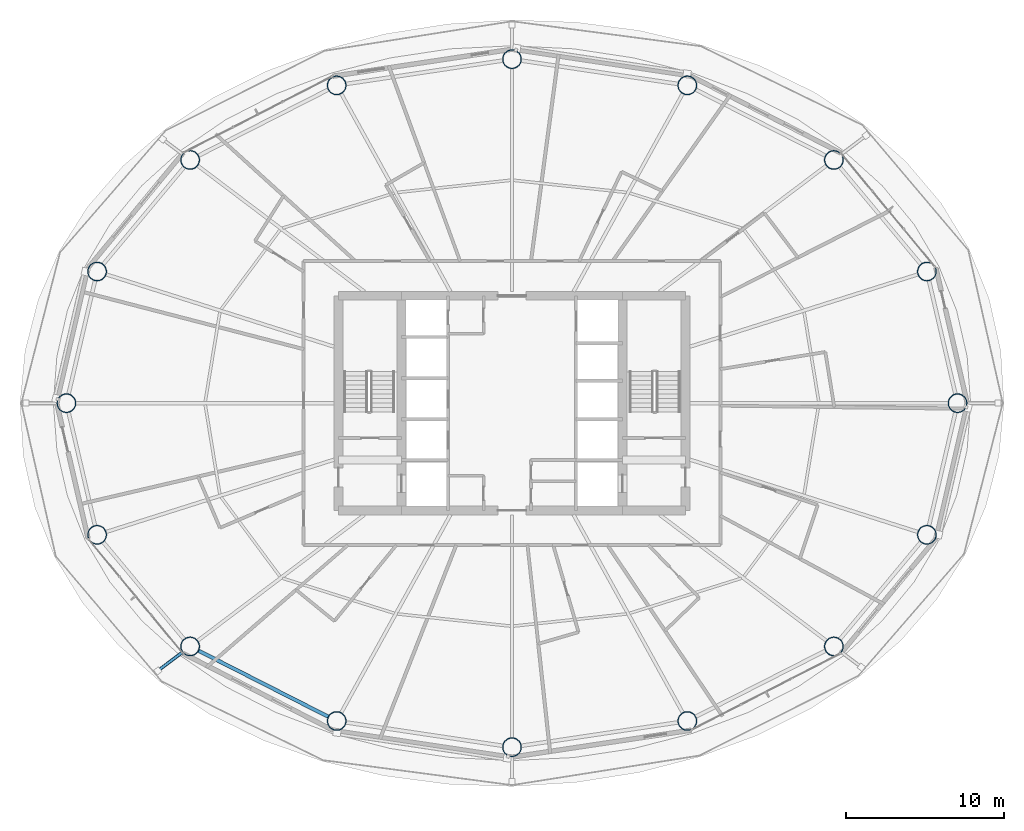
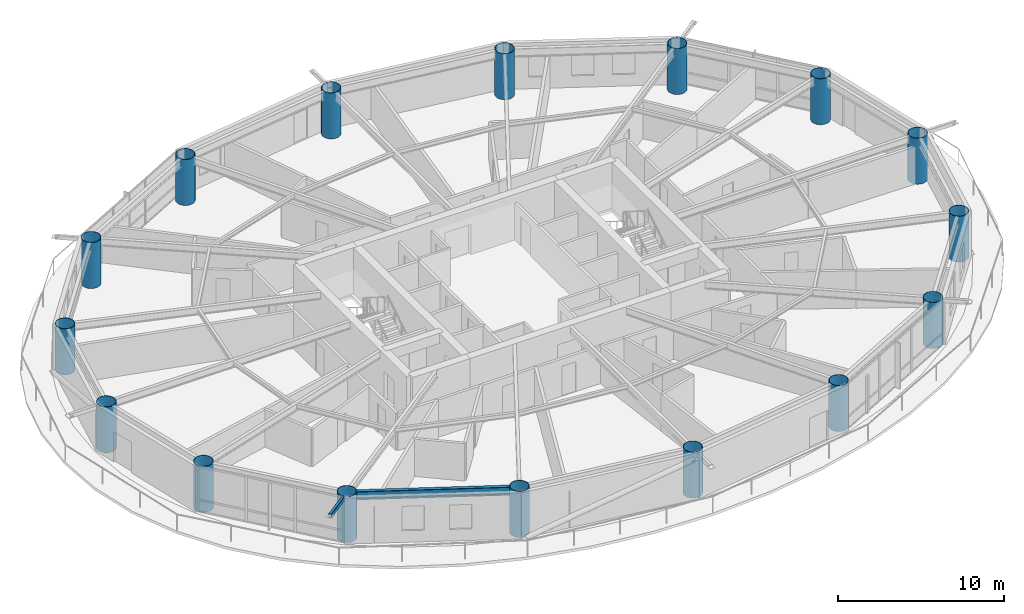
# One storey, part 1 of 24: 16 columns, 1 beam, 1 member.
"""IFC4 building model written with IfcOpenShell, lengths in metres."""

from ifc_helpers import new_model, si_unit, direction, frame, origin, origin_2d, place, context, subcontext, project, spatial, hollow_rectangle, hollow_circle, i_section, extrude, material, material_profile, profile_set, type_object, element, save


model = new_model("IFC4")

# Units and contexts
model_context = context("Model", 3, precision=1e-05, world=origin(), true_north=direction((0.0, 1.0)))
body_context = subcontext(model_context, "Body", "Model", "MODEL_VIEW")
ifc_project = project(units=[si_unit("LENGTHUNIT", "METRE"), si_unit("AREAUNIT", "SQUARE_METRE"), si_unit("VOLUMEUNIT", "CUBIC_METRE"), si_unit("PLANEANGLEUNIT", "RADIAN"), si_unit("MASSUNIT", "GRAM", prefix="KILO")], contexts=[model_context])

# Site, building, storey
site_placement = place(None, origin())
site = spatial("IfcSite", under=ifc_project, at=site_placement, CompositionType="ELEMENT")
building_placement = place(site_placement, origin())
building = spatial("IfcBuilding", under=site, at=building_placement, Name="Sarneth Arch Tower", CompositionType="ELEMENT")
storey_placement = place(building_placement, frame((0.0, 0.0, 105.60009765625)))
storey = spatial("IfcBuildingStorey", under=building, at=storey_placement, Name="L26", CompositionType="ELEMENT", Elevation=105.60009765625)

# Columns
ifc_material_1 = material(Name="Steel S355", Category="steel")
ifc_material_profile_1 = material_profile(ifc_material_1, hollow_circle(Radius=0.60009765625, WallThickness=0.031982421875, at=origin_2d()), Name="CHS1200x32")
ifc_profile_set_1 = profile_set([ifc_material_profile_1], Name="Steel S355")
column_type = type_object("IfcColumnType", Name="COL-MEGA-1200", PredefinedType="COLUMN", material=ifc_profile_set_1)
for number, where, z_axis, x_axis, name in (
    (1, (76.236572265625, 42.0, 0.0), (0.0, 0.0, 1.0), (1.0, 0.0, 0.0), "L26 Perimeter mega-column M01"),
    (2, (74.291259765625, 50.342529296875, 0.0), (0.0, 0.0, 1.0), (1.0, 0.0, 0.0), "L26 Perimeter mega-column M02"),
    (3, (68.397705078125, 57.4150390625, 0.0), (0.0, 0.0, 1.0), (1.0, 0.0, 0.0), "L26 Perimeter mega-column M03"),
    (4, (59.1103515625, 62.140625, 0.0), (0.0, 0.0, 1.0), (1.0, 0.0, 0.0), "L26 Perimeter mega-column M04"),
    (5, (48.0, 63.800048828125, 0.0), (0.0, 0.0, 1.0), (1.0, 0.0, 0.0), "L26 Perimeter mega-column M05"),
    (6, (36.8896484375, 62.140625, 0.0), (0.0, 0.0, 1.0), (1.0, 0.0, 0.0), "L26 Perimeter mega-column M06"),
    (7, (27.602294921875, 57.4150390625, 0.0), (0.0, 0.0, 1.0), (1.0, 0.0, 0.0), "L26 Perimeter mega-column M07"),
    (8, (21.708740234375, 50.342529296875, 0.0), (0.0, 0.0, 1.0), (1.0, 0.0, 0.0), "L26 Perimeter mega-column M08"),
    (9, (19.763427734375, 42.0, 0.0), (0.0, 0.0, 1.0), (1.0, 0.0, 0.0), "L26 Perimeter mega-column M09"),
    (10, (21.708740234375, 33.657470703125, 0.0), (0.0, 0.0, 1.0), (1.0, 0.0, 0.0), "L26 Perimeter mega-column M10"),
    (11, (27.602294921875, 26.5849609375, 0.0), (0.0, 0.0, 1.0), (1.0, 0.0, 0.0), "L26 Perimeter mega-column M11"),
    (12, (36.8896484375, 21.859375, 0.0), (0.0, 0.0, 1.0), (1.0, 0.0, 0.0), "L26 Perimeter mega-column M12"),
    (13, (48.0, 20.199951171875, 0.0), (0.0, 0.0, 1.0), (1.0, 0.0, 0.0), "L26 Perimeter mega-column M13"),
    (14, (59.1103515625, 21.859375, 0.0), (0.0, 0.0, 1.0), (1.0, 0.0, 0.0), "L26 Perimeter mega-column M14"),
    (15, (68.397705078125, 26.5849609375, 0.0), (0.0, 0.0, 1.0), (1.0, 0.0, 0.0), "L26 Perimeter mega-column M15"),
    (16, (74.291259765625, 33.657470703125, 0.0), (0.0, 0.0, 1.0), (1.0, 0.0, 0.0), "L26 Perimeter mega-column M16"),
):
    element("IfcColumn", number, at=place(storey_placement, frame(where, z_axis=z_axis, x_axis=x_axis)), inside=storey, type_object=column_type, Name=name, PredefinedType="COLUMN", context=body_context, shape_type="SweptSolid", body=[
        extrude(hollow_circle(Radius=0.60009765625, WallThickness=0.031982421875, at=origin_2d()), origin(), (0.0, 0.0, 1.0), 3.3798828125),
    ])

# Beam
ifc_material_2 = material(Name="Steel S355", Category="steel")
ifc_material_profile_2 = material_profile(ifc_material_2, i_section(OverallWidth=0.22900390625, OverallDepth=0.612060546875, WebThickness=0.011962890625, FlangeThickness=0.01953125, FilletRadius=0.01904296875, at=origin_2d()), Name="W610x125")
ifc_profile_set_2 = profile_set([ifc_material_profile_2], Name="Steel S355")
beam_type = type_object("IfcBeamType", Name="BM-SPAN-610C", PredefinedType="SPANDREL", material=ifc_profile_set_2)
beam_placement = place(storey_placement, frame((28.13720703125, 26.31298828125, 3.073974609375), z_axis=(0.891259443414, -0.453493775619, 0.0), x_axis=(0.453493775619, 0.891259443414, 0.0)))
element("IfcBeam", 17, at=beam_placement, inside=storey, type_object=beam_type, Name="L26 Perimeter spandrel beam 11", PredefinedType="SPANDREL", context=body_context, shape_type="SweptSolid", body=[
    extrude(i_section(OverallWidth=0.22900390625, OverallDepth=0.612060546875, WebThickness=0.011962890625, FlangeThickness=0.01953125, FilletRadius=0.01904296875, at=origin_2d()), origin(), (0.0, 0.0, 1.0), 9.220458984375),
])

# Member
ifc_material_3 = material(Name="Steel S355", Category="steel")
ifc_material_profile_3 = material_profile(ifc_material_3, hollow_rectangle(XDim=0.199951171875, YDim=0.300048828125, WallThickness=0.012451171875, InnerFilletRadius=0.018798828125, OuterFilletRadius=0.03125, at=origin_2d()), Name="RHS300x200x12.5")
ifc_profile_set_3 = profile_set([ifc_material_profile_3], Name="Steel S355")
member_type = type_object("IfcMemberType", Name="MEM-CANT-STRUT", PredefinedType="STRUT", material=ifc_profile_set_3)
member_placement = place(storey_placement, frame((27.123779296875, 26.223388671875, 3.219970703125), z_axis=(-0.797834141311, -0.602877004835, 0.0), x_axis=(0.602877004835, -0.797834141311, 0.0)))
element("IfcMember", 18, at=member_placement, inside=storey, type_object=member_type, Name="L26 Balcony cantilever bracket 11", PredefinedType="STRUT", context=body_context, shape_type="SweptSolid", body=[
    extrude(hollow_rectangle(XDim=0.199951171875, YDim=0.300048828125, WallThickness=0.012451171875, InnerFilletRadius=0.018798828125, OuterFilletRadius=0.03125, at=origin_2d()), origin(), (0.0, 0.0, 1.0), 1.966064453125),
])

save(model, "model.ifc")
